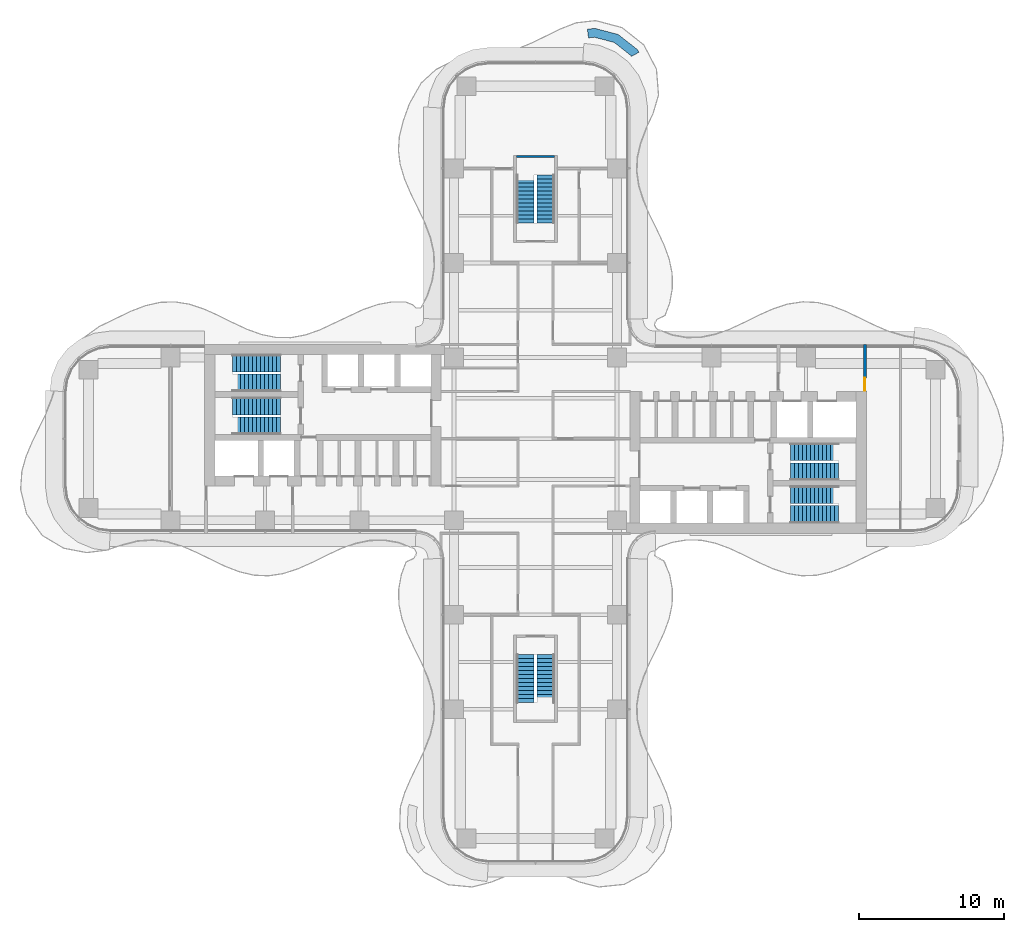
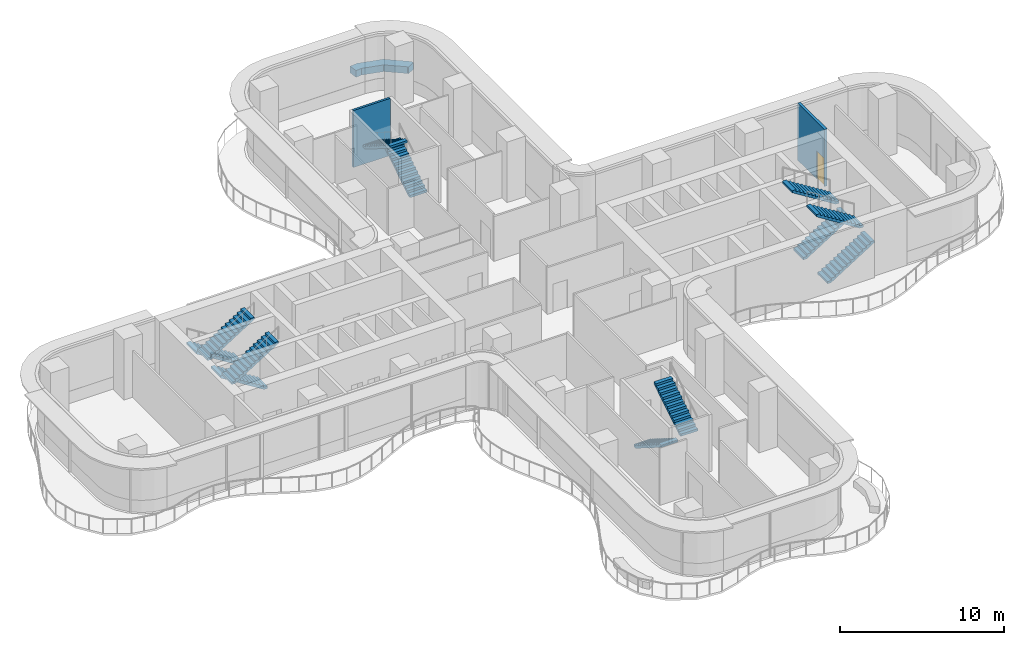
# One storey, part 19 of 21: 12 stair flights, 3 walls, 1 door, 1 opening, 6 elements without a shape of their own.
"""IFC4 building model written with IfcOpenShell, lengths in metres."""

from ifc_helpers import new_model, si_unit, direction, frame, frame_2d, origin, place, context, subcontext, project, spatial, polyline, rectangle, outline, extrude, source, transform, mapped, material, layer, layer_set, type_object, element, fill, aggregate, save


model = new_model("IFC4")

# Units and contexts
model_context = context("Model", 3, precision=1e-05, world=origin(), true_north=direction((0.0, 1.0)))
body_context = subcontext(model_context, "Body", "Model", "MODEL_VIEW")
ifc_project = project(units=[si_unit("LENGTHUNIT", "METRE"), si_unit("AREAUNIT", "SQUARE_METRE"), si_unit("VOLUMEUNIT", "CUBIC_METRE"), si_unit("PLANEANGLEUNIT", "RADIAN"), si_unit("MASSUNIT", "GRAM", prefix="KILO")], contexts=[model_context])

# Site, building, storey
site_placement = place(None, origin())
site = spatial("IfcSite", under=ifc_project, at=site_placement, CompositionType="ELEMENT")
building_placement = place(site_placement, origin())
building = spatial("IfcBuilding", under=site, at=building_placement, Name="Trellis Farm Tower", CompositionType="ELEMENT")
storey_placement = place(building_placement, frame((0.0, 0.0, 115.5)))
storey = spatial("IfcBuildingStorey", under=building, at=storey_placement, Name="L24", CompositionType="ELEMENT", Elevation=115.5)

# Wall
ifc_material_1 = material(Name="Sandstone faced masonry planter", Category="masonry")
ifc_layer_1 = layer(ifc_material_1, 0.60009765625)
ifc_layer_set_1 = layer_set([ifc_layer_1], Name="PLANTER BED 600")
wall_type_1 = type_object("IfcWallType", Name="PLANTER BED 600", PredefinedType="USERDEFINED", material=ifc_layer_set_1)
placement = place(storey_placement, origin())
element("IfcWall", 1, at=placement, inside=storey, type_object=wall_type_1, Name="PLANTER bed", ObjectType="PLANTER", PredefinedType="USERDEFINED", context=body_context, shape_type="SweptSolid", body=[
    extrude(outline(polyline([(4.07861328125, 28.2294921875), (5.6796875, 27.8125), (7.023681640625, 26.760009765625), (7.1171875, 26.582275390625), (6.586181640625, 26.302978515625), (6.552490234375, 26.366943359375), (5.407958984375, 27.263427734375), (4.037841796875, 27.6201171875), (3.641845703125, 27.57177734375), (3.5693359375, 28.16748046875), (4.07861328125, 28.2294921875)])), origin(), (0.0, 0.0, 1.0), 0.5),
])

# Wall, opening, door
ifc_material_2 = material(Name="Masonry blockwork", Category="masonry")
ifc_layer_2 = layer(ifc_material_2, 0.199951171875)
ifc_layer_set_2 = layer_set([ifc_layer_2], Name="FIRE LOBBY PARTITION 200 BLOCKWORK")
wall_type_2 = type_object("IfcWallType", Name="FIRE LOBBY PARTITION 200 BLOCKWORK", PredefinedType="PARTITIONING", material=ifc_layer_set_2)
shared_shape_1 = source(origin(), body_context, "Body", "SweptSolid", [
    extrude(rectangle(XDim=3.25, YDim=0.199951171875, at=frame_2d((1.625, 0.0))), origin(), (0.0, 0.0, 1.0), 4.25),
])
wall_2_placement = place(storey_placement, frame((22.64990234375, 3.25, 0.0), z_axis=(0.0, 0.0, 1.0), x_axis=(0.0, 1.0, 0.0)))
wall_2 = element("IfcWall", 2, at=wall_2_placement, inside=storey, type_object=wall_type_2, Name="Fire-fighting lobby partition", PredefinedType="PARTITIONING", context=body_context, shape_type="MappedRepresentation", body=[
    mapped(shared_shape_1, transform((0.0, 0.0, 0.0))),
])
shared_shape_2 = source(origin(), body_context, "Body", "SweptSolid", [
    extrude(rectangle(XDim=0.89990234375, YDim=2.10009765625, at=frame_2d((0.449951171875, 1.050048828125))), frame((0.0, 0.110107421875, 0.0), z_axis=(0.0, -1.0, 0.0), x_axis=(1.0, 0.0, 0.0)), (0.0, 0.0, 1.0), 0.22021484375),
])
opening_placement = place(wall_2_placement, frame((0.050048828125, 0.0, 0.0)))
opening = element("IfcOpeningElement", 3, at=opening_placement, cuts=wall_2, Name="Opening DC8", PredefinedType="OPENING", context=body_context, shape_type="MappedRepresentation", body=[
    mapped(shared_shape_2, transform((0.0, 0.0, 0.0))),
])
ifc_material_3 = material(Name="Steel", Category="steel")
door_type = type_object("IfcDoorType", Name="CORE FIRE DOOR 900 X 2100", OperationType="NOTDEFINED", PredefinedType="DOOR", material=ifc_material_3)
shared_shape_3 = source(origin(), body_context, "Body", "SweptSolid", [
    extrude(rectangle(XDim=0.89990234375, YDim=2.10009765625, at=frame_2d((0.449951171875, 1.050048828125))), frame((0.0, 0.02490234375, 0.0), z_axis=(0.0, -1.0, 0.0), x_axis=(1.0, 0.0, 0.0)), (0.0, 0.0, 1.0), 0.050048828125),
])
door_placement = place(opening_placement, origin())
door = element("IfcDoor", 4, at=door_placement, inside=storey, type_object=door_type, Name="Core door", OperationType="SINGLE_SWING_RIGHT", OverallHeight=2.10009765625, OverallWidth=0.89990234375, PredefinedType="DOOR", context=body_context, shape_type="MappedRepresentation", body=[
    mapped(shared_shape_3, transform((0.0, 0.0, 0.0))),
])
fill(opening, door)

# Wall
ifc_material_4 = material(Name="Concrete C70/85", Category="concrete")
ifc_layer_3 = layer(ifc_material_4, 0.14990234375)
ifc_layer_set_3 = layer_set([ifc_layer_3], Name="CORE STAIR ENCLOSURE WALL 150 CONCRETE C70/85")
wall_type_3 = type_object("IfcWallType", Name="CORE STAIR ENCLOSURE WALL 150 CONCRETE C70/85", PredefinedType="SHEAR", material=ifc_layer_set_3)
shared_shape_4 = source(origin(), body_context, "Body", "SweptSolid", [
    extrude(rectangle(XDim=2.60009765625, YDim=0.14990234375, at=frame_2d((1.300048828125, 0.0))), origin(), (0.0, 0.0, 1.0), 4.25),
])
wall_3_placement = place(storey_placement, frame((-1.300048828125, 19.425048828125, 0.0), z_axis=(0.0, 0.0, 1.0), x_axis=(1.0, 0.0, 0.0)))
element("IfcWall", 5, at=wall_3_placement, inside=storey, type_object=wall_type_3, Name="Stair enclosure wall", PredefinedType="SHEAR", context=body_context, shape_type="MappedRepresentation", body=[
    mapped(shared_shape_4, transform((0.0, 0.0, 0.0))),
])

# Stair, stair flights
ifc_material_5 = material(Name="Concrete C50/60", Category="concrete")
stair_type = type_object("IfcStairType", Name="CORE EXIT STAIR 26 RISERS 173 MM", PredefinedType="HALF_TURN_STAIR", material=ifc_material_5)
stair_1 = element("IfcStair", 6, at=placement, inside=storey, type_object=stair_type, Name="Exit stair N", PredefinedType="HALF_TURN_STAIR")
stair_flight_type = type_object("IfcStairFlightType", Name="STAIR FLIGHT 13 RISERS 173 MM", PredefinedType="STRAIGHT", material=ifc_material_5)
shared_shape_5 = source(origin(), body_context, "Body", "SweptSolid", [
    extrude(outline(polyline([(0.0, 0.0), (0.0, 0.173095703125), (0.27490234375, 0.173095703125), (0.27490234375, 0.34619140625), (0.550048828125, 0.34619140625), (0.550048828125, 0.519287109375), (0.824951171875, 0.519287109375), (0.824951171875, 0.6923828125), (1.10009765625, 0.6923828125), (1.10009765625, 0.865478515625), (1.375, 0.865478515625), (1.375, 1.03857421875), (1.64990234375, 1.03857421875), (1.64990234375, 1.21142578125), (1.925048828125, 1.21142578125), (1.925048828125, 1.384521484375), (2.199951171875, 1.384521484375), (2.199951171875, 1.5576171875), (2.47509765625, 1.5576171875), (2.47509765625, 1.730712890625), (2.75, 1.730712890625), (2.75, 1.90380859375), (3.02490234375, 1.90380859375), (3.02490234375, 2.076904296875), (3.300048828125, 2.076904296875), (3.300048828125, 2.25), (3.300048828125, 1.92333984375), (0.243896484375, 0.0), (0.0, 0.0)])), frame((0.0, 0.60009765625, 0.0), z_axis=(0.0, -1.0, 0.0), x_axis=(1.0, 0.0, 0.0)), (0.0, 0.0, 1.0), 1.199951171875),
])
stair_flight_1_placement = place(storey_placement, frame((0.699951171875, 14.85009765625, 0.0), z_axis=(0.0, 0.0, 1.0), x_axis=(0.0, 1.0, 0.0)))
stair_flight_1 = element("IfcStairFlight", 7, at=stair_flight_1_placement, type_object=stair_flight_type, Name="STN flight 1", NumberOfRisers=13, NumberOfTreads=12, PredefinedType="STRAIGHT", RiserHeight=0.173076923, TreadLength=0.275, context=body_context, shape_type="MappedRepresentation", body=[
    mapped(shared_shape_5, transform((0.0, 0.0, 0.0))),
])
stair_flight_2_placement = place(storey_placement, frame((-0.699951171875, 18.14990234375, 2.25), z_axis=(0.0, 0.0, 1.0), x_axis=(0.0, -1.0, 0.0)))
stair_flight_2 = element("IfcStairFlight", 8, at=stair_flight_2_placement, type_object=stair_flight_type, Name="STN flight 2", NumberOfRisers=13, NumberOfTreads=12, PredefinedType="STRAIGHT", RiserHeight=0.173076923, TreadLength=0.275, context=body_context, shape_type="MappedRepresentation", body=[
    mapped(shared_shape_5, transform((0.0, 0.0, 0.0))),
])
aggregate(stair_1, [stair_flight_1, stair_flight_2])

stair_2 = element("IfcStair", 9, at=placement, inside=storey, type_object=stair_type, Name="Exit stair S", PredefinedType="HALF_TURN_STAIR")
stair_flight_3_placement = place(storey_placement, frame((-0.699951171875, -14.85009765625, 0.0), z_axis=(0.0, 0.0, 1.0), x_axis=(0.0, -1.0, 0.0)))
stair_flight_3 = element("IfcStairFlight", 10, at=stair_flight_3_placement, type_object=stair_flight_type, Name="STS flight 1", NumberOfRisers=13, NumberOfTreads=12, PredefinedType="STRAIGHT", RiserHeight=0.173076923, TreadLength=0.275, context=body_context, shape_type="MappedRepresentation", body=[
    mapped(shared_shape_5, transform((0.0, 0.0, 0.0))),
])
stair_flight_4_placement = place(storey_placement, frame((0.699951171875, -18.14990234375, 2.25), z_axis=(0.0, 0.0, 1.0), x_axis=(0.0, 1.0, 0.0)))
stair_flight_4 = element("IfcStairFlight", 11, at=stair_flight_4_placement, type_object=stair_flight_type, Name="STS flight 2", NumberOfRisers=13, NumberOfTreads=12, PredefinedType="STRAIGHT", RiserHeight=0.173076923, TreadLength=0.275, context=body_context, shape_type="MappedRepresentation", body=[
    mapped(shared_shape_5, transform((0.0, 0.0, 0.0))),
])
aggregate(stair_2, [stair_flight_3, stair_flight_4])

stair_3 = element("IfcStair", 12, at=placement, inside=storey, type_object=stair_type, Name="Exit stair E1", PredefinedType="HALF_TURN_STAIR")
stair_flight_5_placement = place(storey_placement, frame((17.550048828125, -5.199951171875, 0.0), z_axis=(0.0, 0.0, 1.0), x_axis=(1.0, 0.0, 0.0)))
stair_flight_5 = element("IfcStairFlight", 13, at=stair_flight_5_placement, type_object=stair_flight_type, Name="STE1 flight 1", NumberOfRisers=13, NumberOfTreads=12, PredefinedType="STRAIGHT", RiserHeight=0.173076923, TreadLength=0.275, context=body_context, shape_type="MappedRepresentation", body=[
    mapped(shared_shape_5, transform((0.0, 0.0, 0.0))),
])
stair_flight_6_placement = place(storey_placement, frame((20.85009765625, -3.85009765625, 2.25), z_axis=(0.0, 0.0, 1.0), x_axis=(-1.0, 0.0, 0.0)))
stair_flight_6 = element("IfcStairFlight", 14, at=stair_flight_6_placement, type_object=stair_flight_type, Name="STE1 flight 2", NumberOfRisers=13, NumberOfTreads=12, PredefinedType="STRAIGHT", RiserHeight=0.173076923, TreadLength=0.275, context=body_context, shape_type="MappedRepresentation", body=[
    mapped(shared_shape_5, transform((0.0, 0.0, 0.0))),
])
aggregate(stair_3, [stair_flight_5, stair_flight_6])

stair_4 = element("IfcStair", 15, at=placement, inside=storey, type_object=stair_type, Name="Exit stair E2", PredefinedType="HALF_TURN_STAIR")
stair_flight_7_placement = place(storey_placement, frame((17.550048828125, -2.25, 0.0), z_axis=(0.0, 0.0, 1.0), x_axis=(1.0, 0.0, 0.0)))
stair_flight_7 = element("IfcStairFlight", 16, at=stair_flight_7_placement, type_object=stair_flight_type, Name="STE2 flight 1", NumberOfRisers=13, NumberOfTreads=12, PredefinedType="STRAIGHT", RiserHeight=0.173076923, TreadLength=0.275, context=body_context, shape_type="MappedRepresentation", body=[
    mapped(shared_shape_5, transform((0.0, 0.0, 0.0))),
])
stair_flight_8_placement = place(storey_placement, frame((20.85009765625, -0.89990234375, 2.25), z_axis=(0.0, 0.0, 1.0), x_axis=(-1.0, 0.0, 0.0)))
stair_flight_8 = element("IfcStairFlight", 17, at=stair_flight_8_placement, type_object=stair_flight_type, Name="STE2 flight 2", NumberOfRisers=13, NumberOfTreads=12, PredefinedType="STRAIGHT", RiserHeight=0.173076923, TreadLength=0.275, context=body_context, shape_type="MappedRepresentation", body=[
    mapped(shared_shape_5, transform((0.0, 0.0, 0.0))),
])
aggregate(stair_4, [stair_flight_7, stair_flight_8])

stair_5 = element("IfcStair", 18, at=placement, inside=storey, type_object=stair_type, Name="Exit stair W1", PredefinedType="HALF_TURN_STAIR")
stair_flight_9_placement = place(storey_placement, frame((-17.550048828125, 5.199951171875, 0.0), z_axis=(0.0, 0.0, 1.0), x_axis=(-1.0, 0.0, 0.0)))
stair_flight_9 = element("IfcStairFlight", 19, at=stair_flight_9_placement, type_object=stair_flight_type, Name="STW1 flight 1", NumberOfRisers=13, NumberOfTreads=12, PredefinedType="STRAIGHT", RiserHeight=0.173076923, TreadLength=0.275, context=body_context, shape_type="MappedRepresentation", body=[
    mapped(shared_shape_5, transform((0.0, 0.0, 0.0))),
])
stair_flight_10_placement = place(storey_placement, frame((-20.85009765625, 3.85009765625, 2.25), z_axis=(0.0, 0.0, 1.0), x_axis=(1.0, 0.0, 0.0)))
stair_flight_10 = element("IfcStairFlight", 20, at=stair_flight_10_placement, type_object=stair_flight_type, Name="STW1 flight 2", NumberOfRisers=13, NumberOfTreads=12, PredefinedType="STRAIGHT", RiserHeight=0.173076923, TreadLength=0.275, context=body_context, shape_type="MappedRepresentation", body=[
    mapped(shared_shape_5, transform((0.0, 0.0, 0.0))),
])
aggregate(stair_5, [stair_flight_9, stair_flight_10])

stair_6 = element("IfcStair", 21, at=placement, inside=storey, type_object=stair_type, Name="Exit stair W2", PredefinedType="HALF_TURN_STAIR")
stair_flight_11_placement = place(storey_placement, frame((-17.550048828125, 2.25, 0.0), z_axis=(0.0, 0.0, 1.0), x_axis=(-1.0, 0.0, 0.0)))
stair_flight_11 = element("IfcStairFlight", 22, at=stair_flight_11_placement, type_object=stair_flight_type, Name="STW2 flight 1", NumberOfRisers=13, NumberOfTreads=12, PredefinedType="STRAIGHT", RiserHeight=0.173076923, TreadLength=0.275, context=body_context, shape_type="MappedRepresentation", body=[
    mapped(shared_shape_5, transform((0.0, 0.0, 0.0))),
])
stair_flight_12_placement = place(storey_placement, frame((-20.85009765625, 0.89990234375, 2.25), z_axis=(0.0, 0.0, 1.0), x_axis=(1.0, 0.0, 0.0)))
stair_flight_12 = element("IfcStairFlight", 23, at=stair_flight_12_placement, type_object=stair_flight_type, Name="STW2 flight 2", NumberOfRisers=13, NumberOfTreads=12, PredefinedType="STRAIGHT", RiserHeight=0.173076923, TreadLength=0.275, context=body_context, shape_type="MappedRepresentation", body=[
    mapped(shared_shape_5, transform((0.0, 0.0, 0.0))),
])
aggregate(stair_6, [stair_flight_11, stair_flight_12])

save(model, "model.ifc")
